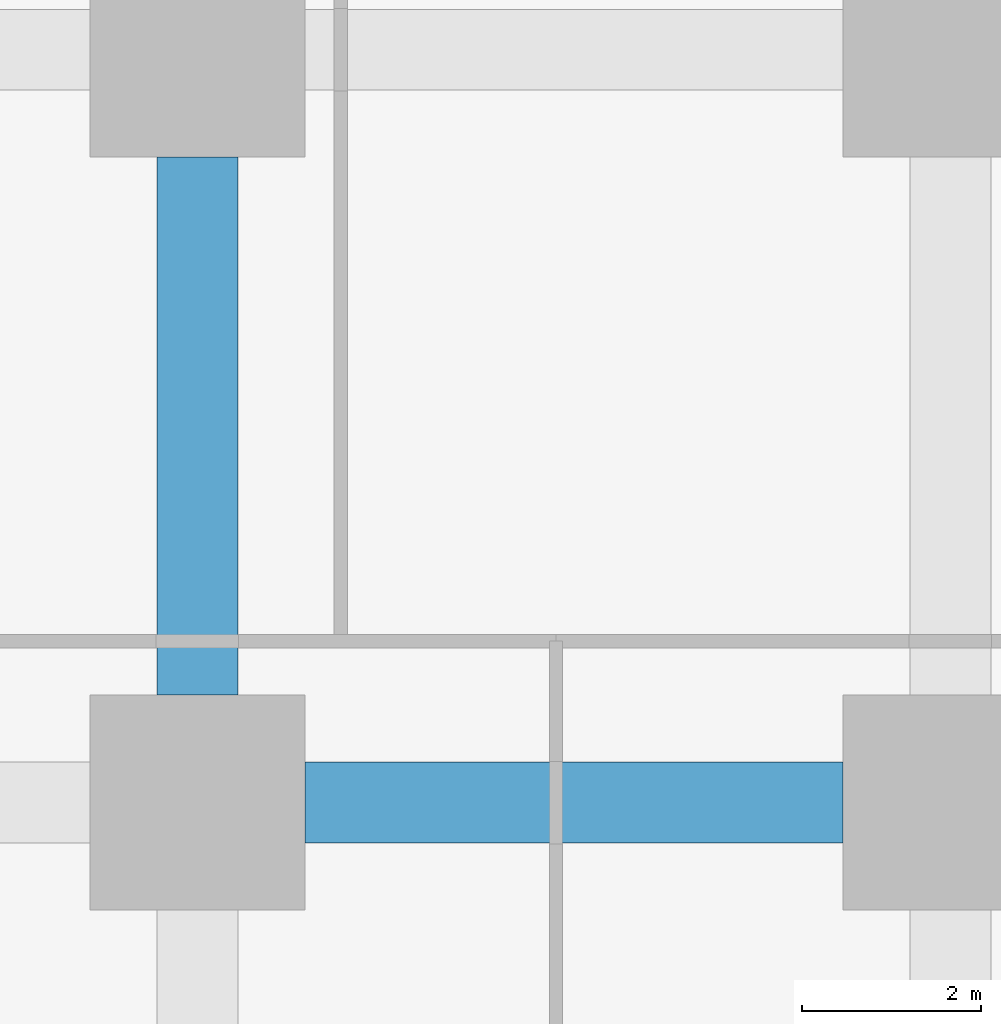
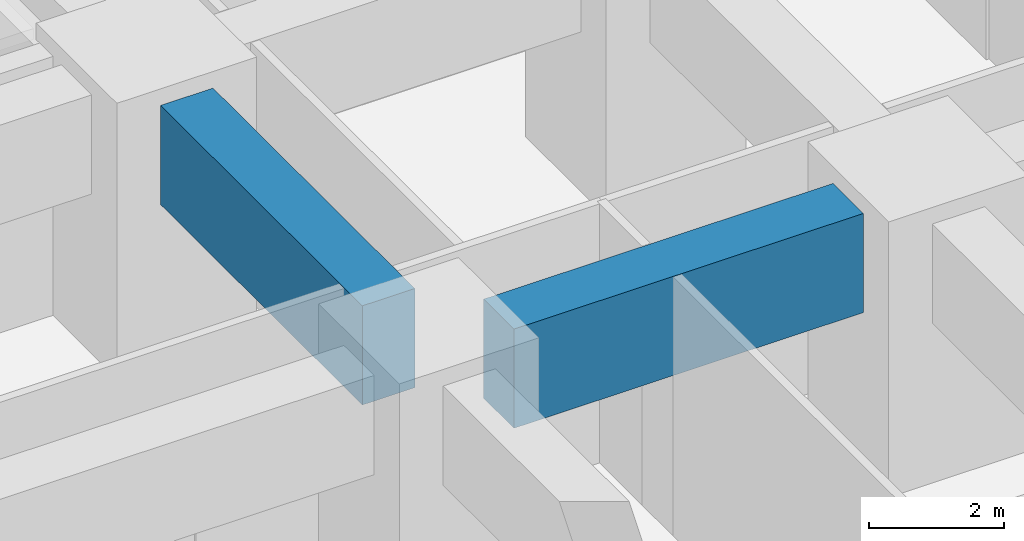
# One storey, part 10 of 49: 2 beams.
"""IFC4 building model written with IfcOpenShell, lengths in metres."""

from ifc_helpers import new_model, si_unit, direction, frame, origin, origin_2d, place, context, subcontext, project, spatial, rectangle, extrude, material, material_profile, profile_set, type_object, element, save


model = new_model("IFC4")

# Units and contexts
model_context = context("Model", 3, precision=1e-05, world=origin(), true_north=direction((0.0, 1.0)))
body_context = subcontext(model_context, "Body", "Model", "MODEL_VIEW")
ifc_project = project(units=[si_unit("LENGTHUNIT", "METRE"), si_unit("AREAUNIT", "SQUARE_METRE"), si_unit("VOLUMEUNIT", "CUBIC_METRE"), si_unit("PLANEANGLEUNIT", "RADIAN"), si_unit("MASSUNIT", "GRAM", prefix="KILO")], contexts=[model_context])

# Site, building, storey
site_placement = place(None, origin())
site = spatial("IfcSite", under=ifc_project, at=site_placement, CompositionType="ELEMENT")
building_placement = place(site_placement, origin())
building = spatial("IfcBuilding", under=site, at=building_placement, Name="Rekha Terrace Tower", CompositionType="ELEMENT")
storey_placement = place(building_placement, frame((0.0, 0.0, 10.39990234375)))
storey = spatial("IfcBuildingStorey", under=building, at=storey_placement, Name="L02", CompositionType="ELEMENT", Elevation=10.39990234375)

# Beams
ifc_material = material(Name="Concrete M60", Category="concrete")
ifc_material_profile = material_profile(ifc_material, rectangle(XDim=0.89990234375, YDim=1.800048828125, at=origin_2d()), Name="RC 900x1800")
ifc_profile_set = profile_set([ifc_material_profile], Name="Concrete M60")
beam_type = type_object("IfcBeamType", Name="G1 900x1800 podium floor beam", PredefinedType="BEAM", material=ifc_profile_set)
for number, where, z_axis, x_axis, name in (
    (1, (9.60009765625, 16.800048828125, 3.800048828125), (1.0, 0.0, 0.0), (0.0, 1.0, 0.0), "Beam G1 2C-3C under L03"),
    (2, (8.39990234375, 18.0, 3.800048828125), (0.0, 1.0, 0.0), (-1.0, 0.0, 0.0), "Beam G1 2C-2D under L03"),
):
    element("IfcBeam", number, at=place(storey_placement, frame(where, z_axis=z_axis, x_axis=x_axis)), inside=storey, type_object=beam_type, Name=name, PredefinedType="BEAM", context=body_context, shape_type="SweptSolid", body=[
        extrude(rectangle(XDim=0.89990234375, YDim=1.800048828125, at=origin_2d()), origin(), (0.0, 0.0, 1.0), 6.0),
    ])

save(model, "model.ifc")
